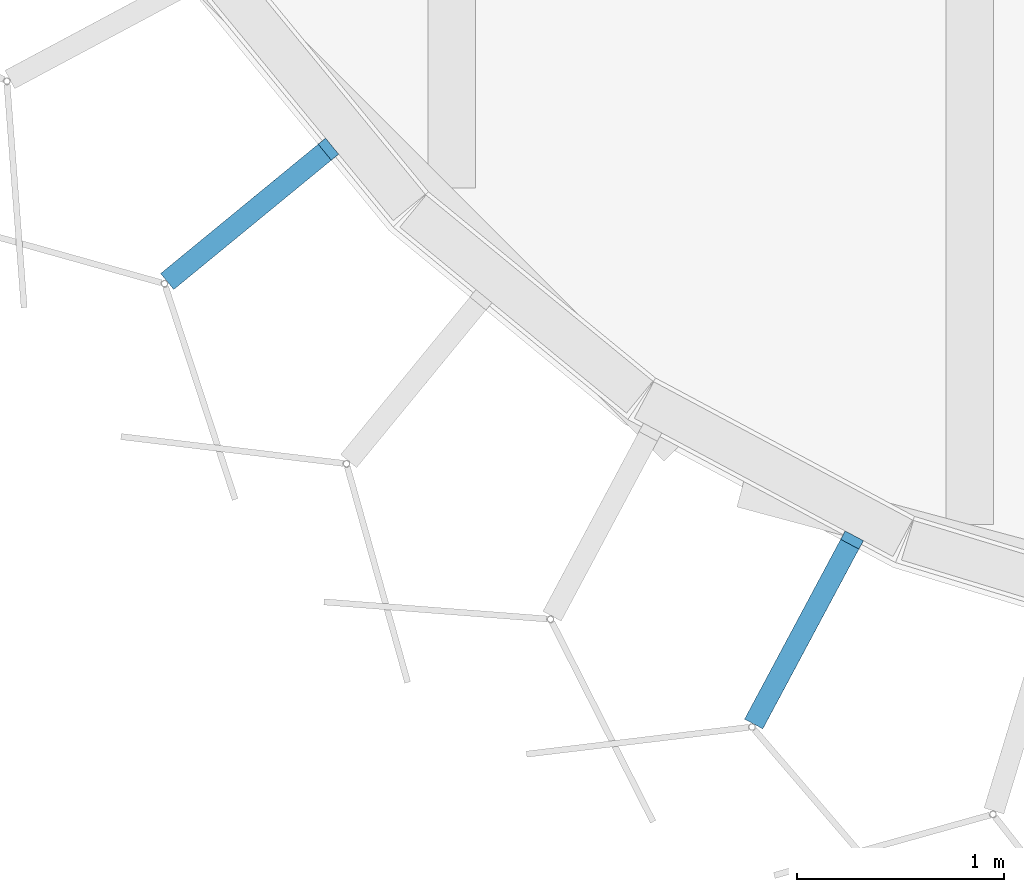
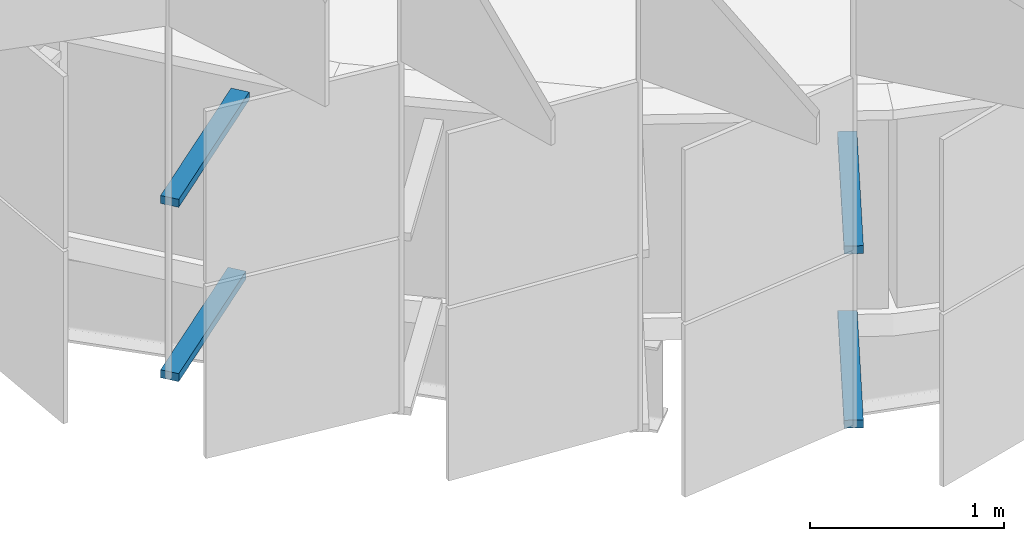
# One storey, part 132 of 483: 4 discrete accessories.
"""IFC4 building model written with IfcOpenShell, lengths in metres."""

from ifc_helpers import new_model, si_unit, direction, frame, origin, origin_2d, place, context, subcontext, project, spatial, rectangle, extrude, material, type_object, element, save


model = new_model("IFC4")

# Units and contexts
model_context = context("Model", 3, precision=1e-05, world=origin(), true_north=direction((0.0, 1.0)))
body_context = subcontext(model_context, "Body", "Model", "MODEL_VIEW")
ifc_project = project(units=[si_unit("LENGTHUNIT", "METRE"), si_unit("AREAUNIT", "SQUARE_METRE"), si_unit("VOLUMEUNIT", "CUBIC_METRE"), si_unit("PLANEANGLEUNIT", "RADIAN"), si_unit("MASSUNIT", "GRAM", prefix="KILO")], contexts=[model_context])

# Site, building, storey
site_placement = place(None, origin())
site = spatial("IfcSite", under=ifc_project, at=site_placement, CompositionType="ELEMENT")
building_placement = place(site_placement, origin())
building = spatial("IfcBuilding", under=site, at=building_placement, Name="Parallax Yard Mobility Hub", CompositionType="ELEMENT")
storey_placement = place(building_placement, frame((0.0, 0.0, 13.199951171875)))
storey = spatial("IfcBuildingStorey", under=building, at=storey_placement, Name="L04", CompositionType="ELEMENT", Elevation=13.199951171875)

# Discrete accessories
ifc_material = material(Name="Steel ASTM A36, hot-dip galvanised", Category="steel")
discrete_accessory_type = type_object("IfcDiscreteAccessoryType", Name="Hinge bracket plate 100x50", PredefinedType="BRACKET", material=ifc_material)
discrete_accessory_1_placement = place(storey_placement, frame((24.006103515625, 114.76318359375, -0.02490234375), z_axis=(0.0, 0.0, 1.0), x_axis=(-0.773010453363, -0.634393284164, 0.0)))
element("IfcDiscreteAccessory", 1, at=discrete_accessory_1_placement, inside=storey, type_object=discrete_accessory_type, Name="Hinge bracket plate bay 72.6 level L04", PredefinedType="BRACKET", context=body_context, shape_type="SweptSolid", body=[
    extrude(rectangle(XDim=0.984130859375, YDim=0.10009765625, at=origin_2d()), origin(), (0.0, 0.0, 1.0), 0.050048828125),
])
discrete_accessory_2_placement = place(storey_placement, frame((24.02392578125, 114.77783203125, 1.06982421875), z_axis=(0.0, 0.0, 1.0), x_axis=(-0.773010453363, -0.634393284164, 0.0)))
element("IfcDiscreteAccessory", 2, at=discrete_accessory_2_placement, inside=storey, type_object=discrete_accessory_type, Name="Hinge bracket plate bay 72.6 level L04", PredefinedType="BRACKET", context=body_context, shape_type="SweptSolid", body=[
    extrude(rectangle(XDim=1.030029296875, YDim=0.10009765625, at=origin_2d()), origin(), (0.0, 0.0, 1.0), 0.050048828125),
])
discrete_accessory_3_placement = place(storey_placement, frame((26.688720703125, 112.749267578125, -0.02490234375), z_axis=(0.0, 0.0, 1.0), x_axis=(-0.471396736826, -0.881921264348, 0.0)))
element("IfcDiscreteAccessory", 3, at=discrete_accessory_3_placement, inside=storey, type_object=discrete_accessory_type, Name="Hinge bracket plate bay 72.9 level L04", PredefinedType="BRACKET", context=body_context, shape_type="SweptSolid", body=[
    extrude(rectangle(XDim=0.984130859375, YDim=0.10009765625, at=origin_2d()), origin(), (0.0, 0.0, 1.0), 0.050048828125),
])
discrete_accessory_4_placement = place(storey_placement, frame((26.69970703125, 112.76953125, 1.06982421875), z_axis=(0.0, 0.0, 1.0), x_axis=(-0.471396736826, -0.881921264348, 0.0)))
element("IfcDiscreteAccessory", 4, at=discrete_accessory_4_placement, inside=storey, type_object=discrete_accessory_type, Name="Hinge bracket plate bay 72.9 level L04", PredefinedType="BRACKET", context=body_context, shape_type="SweptSolid", body=[
    extrude(rectangle(XDim=1.030029296875, YDim=0.10009765625, at=origin_2d()), origin(), (0.0, 0.0, 1.0), 0.050048828125),
])

save(model, "model.ifc")
